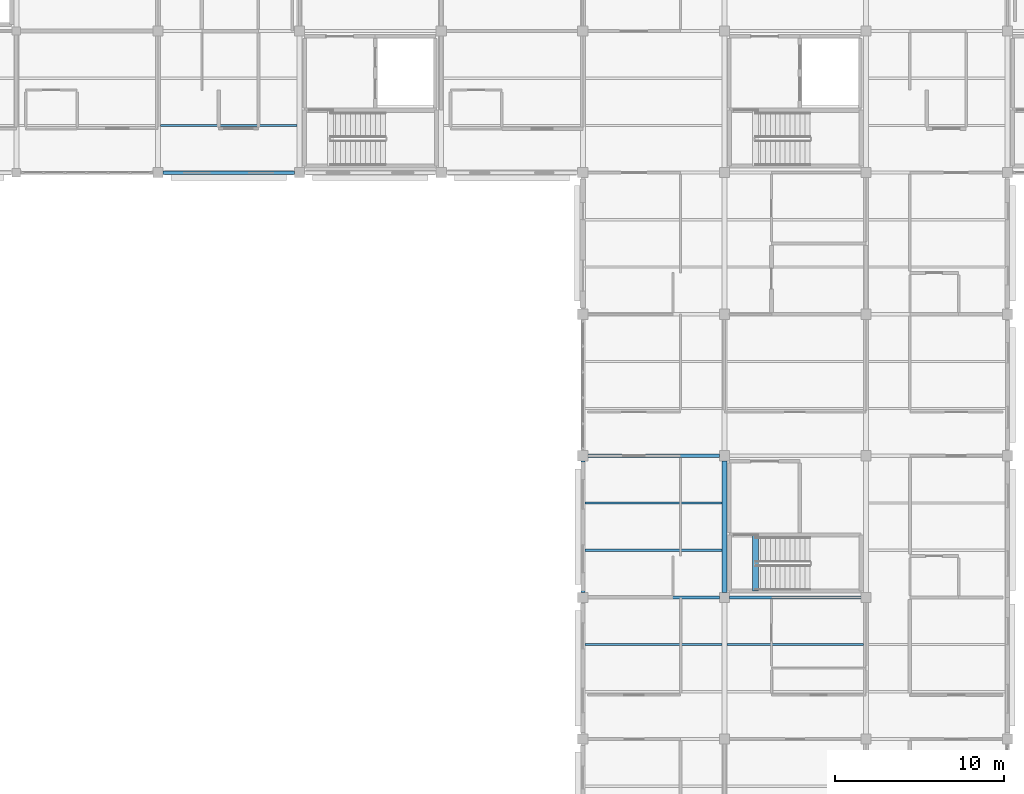
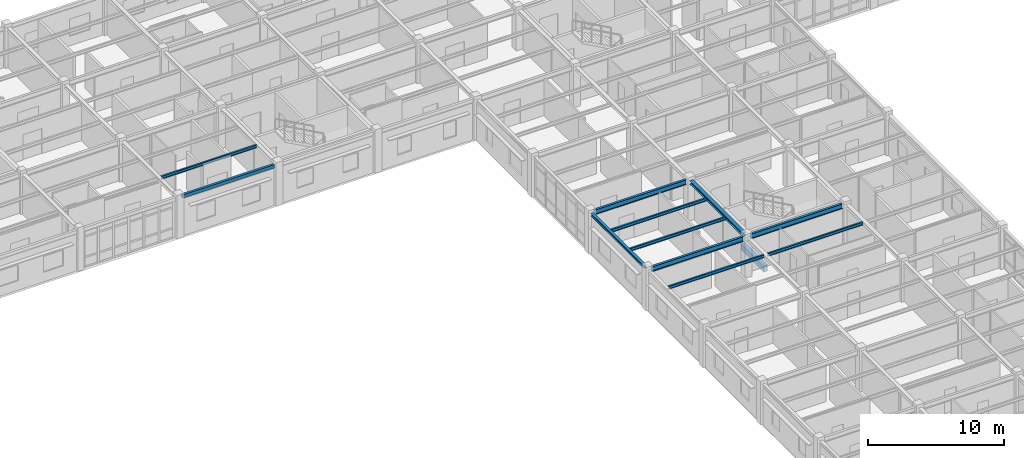
# One storey, part 18 of 70: 12 beams.
"""IFC4 building model written with IfcOpenShell, lengths in metres."""

from ifc_helpers import new_model, si_unit, direction, frame, origin, origin_2d, place, context, subcontext, project, spatial, rectangle, hollow_rectangle, i_section, extrude, material, material_profile, profile_set, type_object, element, save


model = new_model("IFC4")

# Units and contexts
model_context = context("Model", 3, precision=1e-05, world=origin(), true_north=direction((0.0, 1.0)))
body_context = subcontext(model_context, "Body", "Model", "MODEL_VIEW")
ifc_project = project(units=[si_unit("LENGTHUNIT", "METRE"), si_unit("AREAUNIT", "SQUARE_METRE"), si_unit("VOLUMEUNIT", "CUBIC_METRE"), si_unit("PLANEANGLEUNIT", "RADIAN"), si_unit("MASSUNIT", "GRAM", prefix="KILO")], contexts=[model_context])

# Site, building, storey
site_placement = place(None, origin())
site = spatial("IfcSite", under=ifc_project, at=site_placement, CompositionType="ELEMENT")
building_placement = place(site_placement, origin())
building = spatial("IfcBuilding", under=site, at=building_placement, Name="Bramfleet General Hospital", CompositionType="ELEMENT")
storey_placement = place(building_placement, frame((0.0, 0.0, 22.5)))
storey = spatial("IfcBuildingStorey", under=building, at=storey_placement, Name="L05", CompositionType="ELEMENT", Elevation=22.5)

# Beams
ifc_material_1 = material(Name="Steel S355", Category="steel")
ifc_material_profile_1 = material_profile(ifc_material_1, i_section(OverallWidth=0.239990234375, OverallDepth=0.22998046875, WebThickness=0.007568359375, FlangeThickness=0.011962890625, FilletRadius=0.02099609375, at=origin_2d()), Name="HEA 240")
ifc_profile_set_1 = profile_set([ifc_material_profile_1], Name="Steel S355")
beam_type_1 = type_object("IfcBeamType", Name="BM-HEA240", PredefinedType="SPANDREL", material=ifc_profile_set_1)
beam_1_placement = place(storey_placement, frame((92.39990234375, 67.5, 3.5048828125), z_axis=(0.0, 1.0, 0.0), x_axis=(-1.0, 0.0, 0.0)))
element("IfcBeam", 1, at=beam_1_placement, inside=storey, type_object=beam_type_1, Name="L05 Grid Beam Y 11-08", PredefinedType="SPANDREL", context=body_context, shape_type="SweptSolid", body=[
    extrude(i_section(OverallWidth=0.239990234375, OverallDepth=0.22998046875, WebThickness=0.007568359375, FlangeThickness=0.011962890625, FilletRadius=0.02099609375, at=origin_2d()), origin(), (0.0, 0.0, 1.0), 7.800048828125),
])
ifc_material_profile_2 = material_profile(ifc_material_1, i_section(OverallWidth=0.300048828125, OverallDepth=0.31005859375, WebThickness=0.009033203125, FlangeThickness=0.015380859375, FilletRadius=0.027099609375, at=origin_2d()), Name="HEA 320")
ifc_profile_set_2 = profile_set([ifc_material_profile_2], Name="Steel S355")
beam_type_2 = type_object("IfcBeamType", Name="BM-HEA320", PredefinedType="BEAM", material=ifc_profile_set_2)
beam_2_placement = place(storey_placement, frame((100.800048828125, 67.5, 3.465087890625), z_axis=(0.0, 1.0, 0.0), x_axis=(-1.0, 0.0, 0.0)))
element("IfcBeam", 2, at=beam_2_placement, inside=storey, type_object=beam_type_2, Name="L05 Grid Beam Y 12-08", PredefinedType="BEAM", context=body_context, shape_type="SweptSolid", body=[
    extrude(i_section(OverallWidth=0.300048828125, OverallDepth=0.31005859375, WebThickness=0.009033203125, FlangeThickness=0.015380859375, FilletRadius=0.027099609375, at=origin_2d()), origin(), (0.0, 0.0, 1.0), 7.800048828125),
])
ifc_material_profile_3 = material_profile(ifc_material_1, i_section(OverallWidth=0.135009765625, OverallDepth=0.27001953125, WebThickness=0.006591796875, FlangeThickness=0.01025390625, FilletRadius=0.014892578125, at=origin_2d()), Name="IPE 270")
ifc_profile_set_3 = profile_set([ifc_material_profile_3], Name="Steel S355")
beam_type_3 = type_object("IfcBeamType", Name="BM-IPE270", PredefinedType="JOIST", material=ifc_profile_set_3)
beam_3_placement = place(storey_placement, frame((67.35009765625, 95.199951171875, 3.485107421875), z_axis=(1.0, 0.0, 0.0), x_axis=(0.0, 1.0, 0.0)))
element("IfcBeam", 3, at=beam_3_placement, inside=storey, type_object=beam_type_3, Name="L05 Secondary Joist 08-11-1", PredefinedType="JOIST", context=body_context, shape_type="SweptSolid", body=[
    extrude(i_section(OverallWidth=0.135009765625, OverallDepth=0.27001953125, WebThickness=0.006591796875, FlangeThickness=0.01025390625, FilletRadius=0.014892578125, at=origin_2d()), origin(), (0.0, 0.0, 1.0), 8.099853515625),
])
for number, where, z_axis, x_axis, name in (
    (4, (92.52001953125, 64.39990234375, 3.485107421875), (1.0, 0.0, 0.0), (0.0, 1.0, 0.0), "L05 Secondary Joist 11-07-2"),
    (5, (92.52001953125, 70.0, 3.485107421875), (1.0, 0.0, 0.0), (0.0, 1.0, 0.0), "L05 Secondary Joist 11-08-1"),
    (6, (92.52001953125, 72.800048828125, 3.485107421875), (1.0, 0.0, 0.0), (0.0, 1.0, 0.0), "L05 Secondary Joist 11-08-2"),
):
    element("IfcBeam", number, at=place(storey_placement, frame(where, z_axis=z_axis, x_axis=x_axis)), inside=storey, type_object=beam_type_3, Name=name, PredefinedType="JOIST", context=body_context, shape_type="SweptSolid", body=[
        extrude(i_section(OverallWidth=0.135009765625, OverallDepth=0.27001953125, WebThickness=0.006591796875, FlangeThickness=0.01025390625, FilletRadius=0.014892578125, at=origin_2d()), origin(), (0.0, 0.0, 1.0), 8.1298828125),
    ])
beam_4_placement = place(storey_placement, frame((100.949951171875, 64.39990234375, 3.485107421875), z_axis=(1.0, 0.0, 0.0), x_axis=(0.0, 1.0, 0.0)))
element("IfcBeam", 7, at=beam_4_placement, inside=storey, type_object=beam_type_3, Name="L05 Secondary Joist 12-07-2", PredefinedType="JOIST", context=body_context, shape_type="SweptSolid", body=[
    extrude(i_section(OverallWidth=0.135009765625, OverallDepth=0.27001953125, WebThickness=0.006591796875, FlangeThickness=0.01025390625, FilletRadius=0.014892578125, at=origin_2d()), origin(), (0.0, 0.0, 1.0), 8.10009765625),
])
ifc_material_profile_4 = material_profile(ifc_material_1, i_section(OverallWidth=0.18994140625, OverallDepth=0.449951171875, WebThickness=0.009521484375, FlangeThickness=0.0146484375, FilletRadius=0.02099609375, at=origin_2d()), Name="IPE 450")
ifc_profile_set_4 = profile_set([ifc_material_profile_4], Name="Steel S355")
beam_type_4 = type_object("IfcBeamType", Name="BM-IPE450", PredefinedType="BEAM", material=ifc_profile_set_4)
for number, where, z_axis, x_axis, name in (
    (8, (92.699951171875, 67.199951171875, 3.39501953125), (1.0, 0.0, 0.0), (0.0, 1.0, 0.0), "L05 Grid Beam X 11-08"),
    (9, (92.699951171875, 75.60009765625, 3.39501953125), (1.0, 0.0, 0.0), (0.0, 1.0, 0.0), "L05 Grid Beam X 11-09"),
):
    element("IfcBeam", number, at=place(storey_placement, frame(where, z_axis=z_axis, x_axis=x_axis)), inside=storey, type_object=beam_type_4, Name=name, PredefinedType="BEAM", context=body_context, shape_type="SweptSolid", body=[
        extrude(i_section(OverallWidth=0.18994140625, OverallDepth=0.449951171875, WebThickness=0.009521484375, FlangeThickness=0.0146484375, FilletRadius=0.02099609375, at=origin_2d()), origin(), (0.0, 0.0, 1.0), 7.800048828125),
    ])
beam_5_placement = place(storey_placement, frame((101.10009765625, 67.199951171875, 3.39501953125), z_axis=(1.0, 0.0, 0.0), x_axis=(0.0, 1.0, 0.0)))
element("IfcBeam", 10, at=beam_5_placement, inside=storey, type_object=beam_type_4, Name="L05 Grid Beam X 12-08", PredefinedType="BEAM", context=body_context, shape_type="SweptSolid", body=[
    extrude(i_section(OverallWidth=0.18994140625, OverallDepth=0.449951171875, WebThickness=0.009521484375, FlangeThickness=0.0146484375, FilletRadius=0.02099609375, at=origin_2d()), origin(), (0.0, 0.0, 1.0), 7.7998046875),
])
ifc_material_2 = material(Name="Concrete C35/45", Category="concrete")
ifc_material_profile_5 = material_profile(ifc_material_2, rectangle(XDim=0.35009765625, YDim=0.550048828125, at=origin_2d()), Name="RC BM 550x350")
ifc_profile_set_5 = profile_set([ifc_material_profile_5], Name="Concrete C35/45")
beam_type_5 = type_object("IfcBeamType", Name="BM-RC550", PredefinedType="BEAM", material=ifc_profile_set_5)
beam_6_placement = place(storey_placement, frame((102.639892578125, 67.580078125, -0.27490234375), z_axis=(0.0, 1.0, 0.0), x_axis=(-1.0, 0.0, 0.0)))
element("IfcBeam", 11, at=beam_6_placement, inside=storey, type_object=beam_type_5, Name="L05 C11 Stairwell Trimmer Beam", PredefinedType="BEAM", context=body_context, shape_type="SweptSolid", body=[
    extrude(rectangle(XDim=0.35009765625, YDim=0.550048828125, at=origin_2d()), origin(), (0.0, 0.0, 1.0), 3.31982421875),
])
ifc_material_profile_6 = material_profile(ifc_material_1, hollow_rectangle(XDim=0.199951171875, YDim=0.300048828125, WallThickness=0.012451171875, at=origin_2d()), Name="RHS 300x200x12.5")
ifc_profile_set_6 = profile_set([ifc_material_profile_6], Name="Steel S355")
beam_type_6 = type_object("IfcBeamType", Name="BM-RHS300", PredefinedType="SPANDREL", material=ifc_profile_set_6)
beam_7_placement = place(storey_placement, frame((67.5, 92.39990234375, 3.469970703125), z_axis=(1.0, 0.0, 0.0), x_axis=(0.0, 1.0, 0.0)))
element("IfcBeam", 12, at=beam_7_placement, inside=storey, type_object=beam_type_6, Name="L05 Grid Beam X 08-11", PredefinedType="SPANDREL", context=body_context, shape_type="SweptSolid", body=[
    extrude(hollow_rectangle(XDim=0.199951171875, YDim=0.300048828125, WallThickness=0.012451171875, at=origin_2d()), origin(), (0.0, 0.0, 1.0), 7.800048828125),
])

save(model, "model.ifc")
